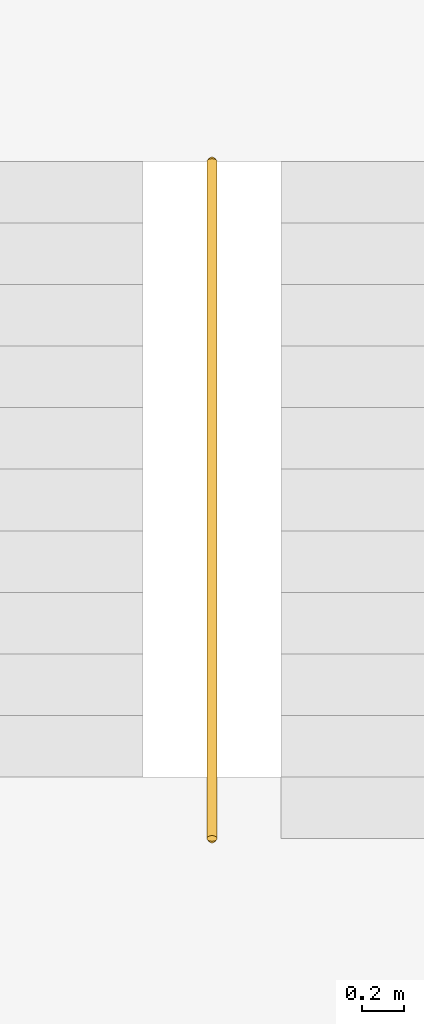
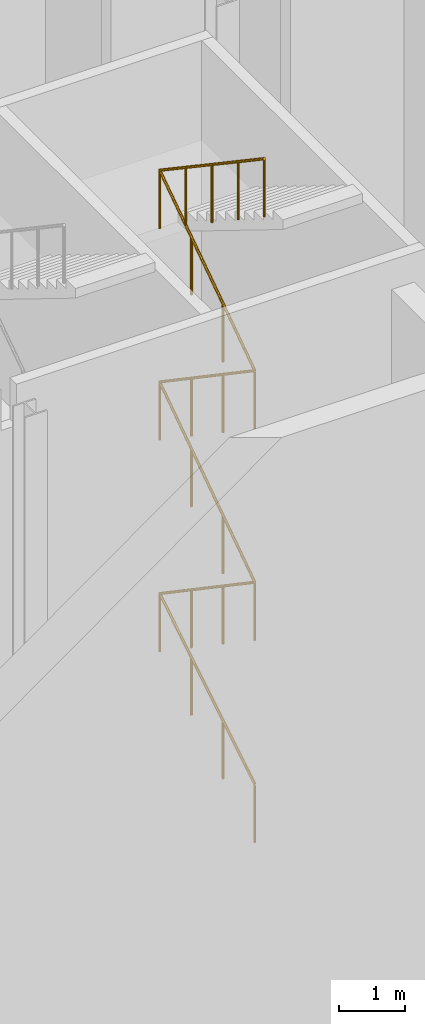
# One storey, part 14 of 14: 1 railing.
"""IFC4 building model written with IfcOpenShell, lengths in metres."""

from ifc_helpers import new_model, si_unit, direction, frame, origin, origin_2d, place, context, subcontext, project, spatial, circle, extrude, material, type_object, element, save


model = new_model("IFC4")

# Units and contexts
model_context = context("Model", 3, precision=1e-05, world=origin(), true_north=direction((0.0, 1.0)))
body_context = subcontext(model_context, "Body", "Model", "MODEL_VIEW")
ifc_project = project(units=[si_unit("LENGTHUNIT", "METRE"), si_unit("AREAUNIT", "SQUARE_METRE"), si_unit("VOLUMEUNIT", "CUBIC_METRE"), si_unit("PLANEANGLEUNIT", "RADIAN"), si_unit("MASSUNIT", "GRAM", prefix="KILO")], contexts=[model_context])

# Site, building, storey
site_placement = place(None, origin())
site = spatial("IfcSite", under=ifc_project, at=site_placement, CompositionType="ELEMENT")
building_placement = place(site_placement, origin())
building = spatial("IfcBuilding", under=site, at=building_placement, Name="Immortelle Media Tower", CompositionType="ELEMENT")
storey_placement = place(building_placement, frame((0.0, 0.0, 9.0)))
storey = spatial("IfcBuildingStorey", under=building, at=storey_placement, Name="L01", CompositionType="ELEMENT", Elevation=9.0)

# Railing
ifc_material = material(Name="Stainless steel AISI 316", Category="steel")
railing_type = type_object("IfcRailingType", Name="Stair guard 1100", PredefinedType="GUARDRAIL", material=ifc_material)
railing_placement = place(storey_placement, frame((37.425048828125, 34.5400390625, 0.17919921875)))
element("IfcRailing", 1, at=railing_placement, inside=storey, type_object=railing_type, Name="Stair guard NE2", PredefinedType="GUARDRAIL", context=body_context, shape_type="SweptSolid", body=[
    extrude(circle(Radius=0.02392578125, at=origin_2d()), frame((0.0, 0.0, 1.076171875), z_axis=(0.0, 0.850811183675, 0.52547153085), x_axis=(-1.0, 0.0, 0.0)), (0.0, 0.0, 1.0), 3.408447265625),
    extrude(circle(Radius=0.02392578125, at=origin_2d()), frame((0.0, 2.89990234375, 2.8671875), z_axis=(0.0, -0.827186764308, 0.561927092204), x_axis=(1.0, 0.0, 0.0)), (0.0, 0.0, 1.0), 3.505859375),
    extrude(circle(Radius=0.02392578125, at=origin_2d()), frame((0.0, 0.0, 4.8369140625), z_axis=(0.0, 0.82715439412, 0.561974739902), x_axis=(-1.0, 0.0, 0.0)), (0.0, 0.0, 1.0), 3.505859375),
    extrude(circle(Radius=0.02392578125, at=origin_2d()), frame((0.0, 2.89990234375, 6.80712890625), z_axis=(0.0, -0.82715439412, 0.561974739902), x_axis=(1.0, 0.0, 0.0)), (0.0, 0.0, 1.0), 3.505859375),
    extrude(circle(Radius=0.02392578125, at=origin_2d()), frame((0.0, 0.0, 8.77734375), z_axis=(0.0, 0.82715439412, 0.561974739902), x_axis=(-1.0, 0.0, 0.0)), (0.0, 0.0, 1.0), 3.505859375),
    extrude(circle(Radius=0.02392578125, at=origin_2d()), frame((0.0, 2.89990234375, 10.74755859375), z_axis=(0.0, -0.829335484276, 0.558750977199), x_axis=(1.0, 0.0, 0.0)), (0.0, 0.0, 1.0), 3.846435546875),
    extrude(circle(Radius=0.02099609375, at=origin_2d()), origin(), (0.0, 0.0, 1.0), 1.052001953125),
    extrude(circle(Radius=0.02099609375, at=origin_2d()), frame((0.0, 0.966552734375, 0.596923828125)), (0.0, 0.0, 1.0), 1.052001953125),
    extrude(circle(Radius=0.02099609375, at=origin_2d()), frame((0.0, 1.933349609375, 1.194091796875)), (0.0, 0.0, 1.0), 1.052001953125),
    extrude(circle(Radius=0.02099609375, at=origin_2d()), frame((0.0, 2.89990234375, 1.791015625)), (0.0, 0.0, 1.0), 1.052001953125),
    extrude(circle(Radius=0.02099609375, at=origin_2d()), frame((0.0, 1.933349609375, 2.44775390625)), (0.0, 0.0, 1.0), 1.052001953125),
    extrude(circle(Radius=0.02099609375, at=origin_2d()), frame((0.0, 0.966552734375, 3.104248046875)), (0.0, 0.0, 1.0), 1.052001953125),
    extrude(circle(Radius=0.02099609375, at=origin_2d()), frame((0.0, 0.0, 3.760986328125)), (0.0, 0.0, 1.0), 1.052001953125),
    extrude(circle(Radius=0.02099609375, at=origin_2d()), frame((0.0, 0.966552734375, 4.417724609375)), (0.0, 0.0, 1.0), 1.052001953125),
    extrude(circle(Radius=0.02099609375, at=origin_2d()), frame((0.0, 1.933349609375, 5.074462890625)), (0.0, 0.0, 1.0), 1.052001953125),
    extrude(circle(Radius=0.02099609375, at=origin_2d()), frame((0.0, 2.89990234375, 5.731201171875)), (0.0, 0.0, 1.0), 1.052001953125),
    extrude(circle(Radius=0.02099609375, at=origin_2d()), frame((0.0, 1.933349609375, 6.387939453125)), (0.0, 0.0, 1.0), 1.052001953125),
    extrude(circle(Radius=0.02099609375, at=origin_2d()), frame((0.0, 0.966552734375, 7.044677734375)), (0.0, 0.0, 1.0), 1.052001953125),
    extrude(circle(Radius=0.02099609375, at=origin_2d()), frame((0.0, 0.0, 7.701416015625)), (0.0, 0.0, 1.0), 1.052001953125),
    extrude(circle(Radius=0.02099609375, at=origin_2d()), frame((0.0, 0.966552734375, 8.358154296875)), (0.0, 0.0, 1.0), 1.052001953125),
    extrude(circle(Radius=0.02099609375, at=origin_2d()), frame((0.0, 1.933349609375, 9.014892578125)), (0.0, 0.0, 1.0), 1.052001953125),
    extrude(circle(Radius=0.02099609375, at=origin_2d()), frame((0.0, 2.89990234375, 9.671630859375)), (0.0, 0.0, 1.0), 1.052001953125),
    extrude(circle(Radius=0.02099609375, at=origin_2d()), frame((0.0, 2.1025390625, 10.208984375)), (0.0, 0.0, 1.0), 1.052001953125),
    extrude(circle(Radius=0.02099609375, at=origin_2d()), frame((0.0, 1.304931640625, 10.74609375)), (0.0, 0.0, 1.0), 1.052001953125),
    extrude(circle(Radius=0.02099609375, at=origin_2d()), frame((0.0, 0.50732421875, 11.283447265625)), (0.0, 0.0, 1.0), 1.052001953125),
    extrude(circle(Radius=0.02099609375, at=origin_2d()), frame((0.0, -0.2900390625, 11.82080078125)), (0.0, 0.0, 1.0), 1.052001953125),
])

save(model, "model.ifc")
